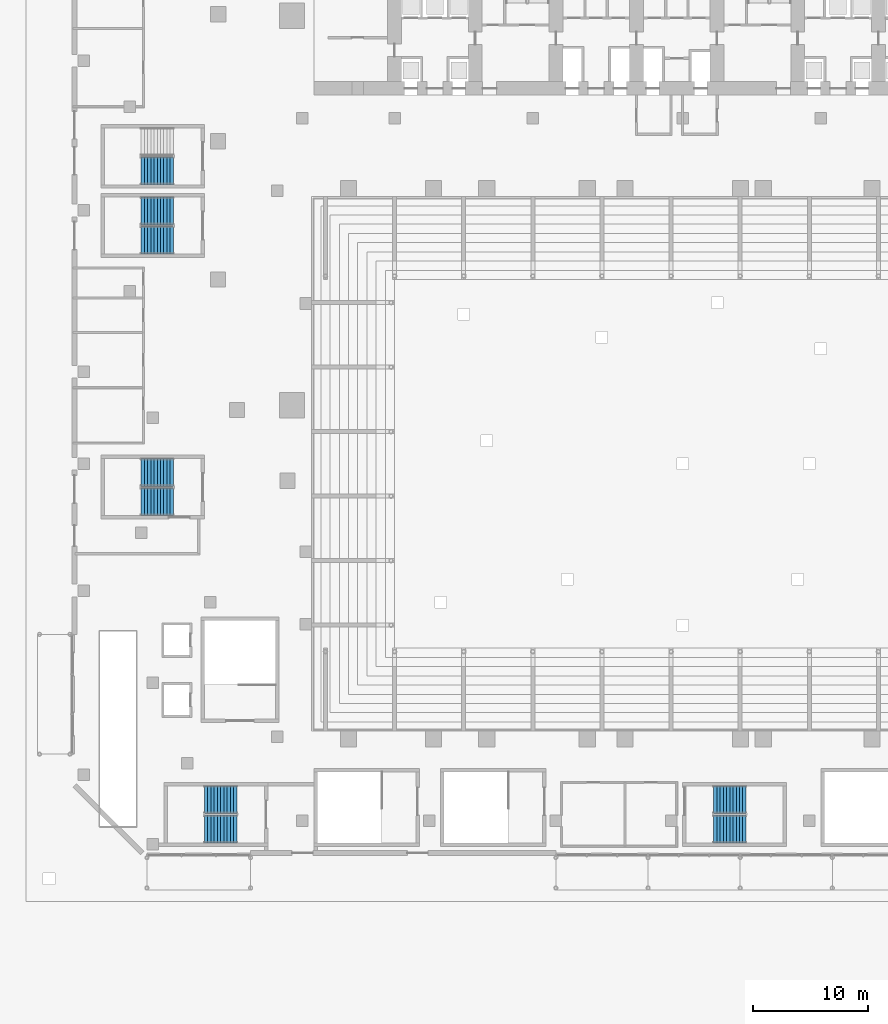
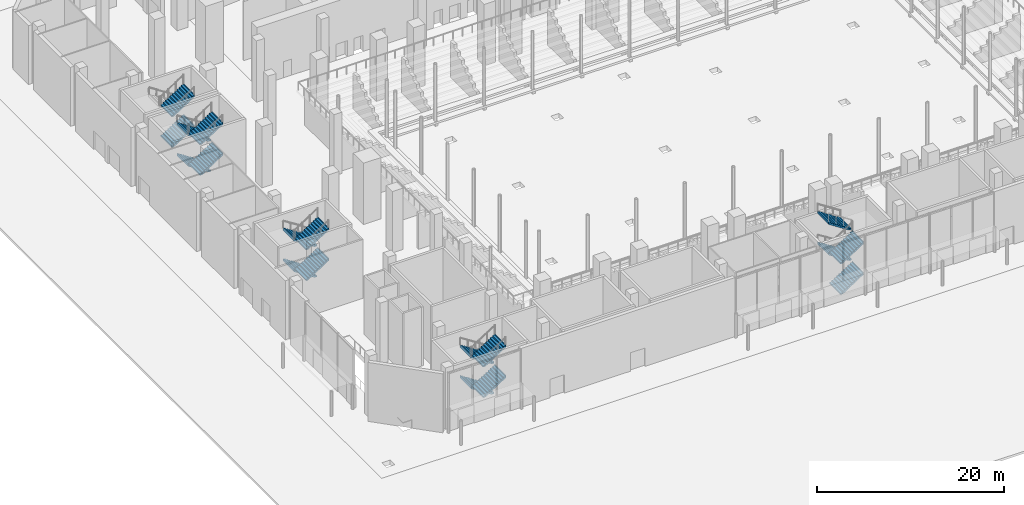
# One storey, part 29 of 41: 18 stair flights, 5 elements without a shape of their own.
"""IFC4 building model written with IfcOpenShell, lengths in metres."""

from ifc_helpers import new_model, si_unit, direction, frame, origin, place, context, subcontext, project, spatial, polyline, outline, extrude, material, type_object, element, aggregate, save


model = new_model("IFC4")

# Units and contexts
model_context = context("Model", 3, precision=1e-05, world=origin(), true_north=direction((0.0, 1.0)))
body_context = subcontext(model_context, "Body", "Model", "MODEL_VIEW")
ifc_project = project(units=[si_unit("LENGTHUNIT", "METRE"), si_unit("AREAUNIT", "SQUARE_METRE"), si_unit("VOLUMEUNIT", "CUBIC_METRE"), si_unit("PLANEANGLEUNIT", "RADIAN"), si_unit("MASSUNIT", "GRAM", prefix="KILO")], contexts=[model_context])

# Site, building, storey
site_placement = place(None, origin())
site = spatial("IfcSite", under=ifc_project, at=site_placement, CompositionType="ELEMENT")
building_placement = place(site_placement, origin())
building = spatial("IfcBuilding", under=site, at=building_placement, Name="Wharfspan Tower", CompositionType="ELEMENT")
storey_placement = place(building_placement, origin())
storey = spatial("IfcBuildingStorey", under=building, at=storey_placement, Name="L00", CompositionType="ELEMENT", Elevation=0.0)

# Stair, stair flights
ifc_material = material(Name="Concrete C40/50", Category="concrete")
stair_type = type_object("IfcStairType", Name="Half-turn stair 2400 wide 44 risers 182 mm", PredefinedType="HALF_TURN_STAIR", material=ifc_material)
stair_1_placement = place(storey_placement, origin())
stair_1 = element("IfcStair", 1, at=stair_1_placement, inside=storey, type_object=stair_type, Name="L00 stair AS1", PredefinedType="HALF_TURN_STAIR")
stair_flight_type = type_object("IfcStairFlightType", Name="Stair flight 2400 wide 44 risers 182 mm", PredefinedType="STRAIGHT", material=ifc_material)
stair_flight_1_placement = place(storey_placement, frame((2.300049, -27.149902, 0.0), z_axis=(0.0, 0.0, 1.0), x_axis=(-1.0, 0.0, 0.0)))
stair_flight_1 = element("IfcStairFlight", 2, at=stair_flight_1_placement, type_object=stair_flight_type, Name="AS1 flight 1", NumberOfRisers=11, NumberOfTreads=10, PredefinedType="STRAIGHT", RiserHeight=0.181818, TreadLength=0.28, context=body_context, shape_type="SweptSolid", body=[
    extrude(outline(polyline([(-0.011963, 0.0), (-0.011963, 0.181885), (0.0, 0.181885), (0.280029, 0.181885), (0.280029, 0.363525), (0.560059, 0.363525), (0.560059, 0.54541), (0.840088, 0.54541), (0.840088, 0.727295), (1.120117, 0.727295), (1.120117, 0.90918), (1.399902, 0.90918), (1.399902, 1.09082), (1.679932, 1.09082), (1.679932, 1.272705), (1.959961, 1.272705), (1.959961, 1.45459), (2.23999, 1.45459), (2.23999, 1.636475), (2.52002, 1.636475), (2.52002, 1.818115), (2.800049, 1.818115), (2.812012, 2.0), (2.812012, 1.639404), (0.275146, 0.0), (-0.011963, 0.0)])), frame((0.0, 1.199951, 0.0), z_axis=(0.0, -1.0, 0.0), x_axis=(1.0, 0.0, 0.0)), (0.0, 0.0, 1.0), 1.199463),
    extrude(outline(polyline([(-0.011963, 0.0), (-0.011963, 0.181885), (0.0, 0.181885), (0.280029, 0.181885), (0.280029, 0.363525), (0.560059, 0.363525), (0.560059, 0.54541), (0.840088, 0.54541), (0.840088, 0.727295), (1.120117, 0.727295), (1.120117, 0.90918), (1.399902, 0.90918), (1.399902, 1.09082), (1.679932, 1.09082), (1.679932, 1.272705), (1.959961, 1.272705), (1.959961, 1.45459), (2.23999, 1.45459), (2.23999, 1.636475), (2.52002, 1.636475), (2.52002, 1.818115), (2.800049, 1.818115), (2.812012, 2.0), (2.812012, 1.639404), (0.275146, 0.0), (-0.011963, 0.0)])), frame((0.0, -0.000488, 0.0), z_axis=(0.0, -1.0, 0.0), x_axis=(1.0, 0.0, 0.0)), (0.0, 0.0, 1.0), 1.199463),
])
stair_flight_2_placement = place(storey_placement, frame((-0.5, -29.699951, 2.0), z_axis=(0.0, 0.0, 1.0), x_axis=(1.0, 0.0, 0.0)))
stair_flight_2 = element("IfcStairFlight", 3, at=stair_flight_2_placement, type_object=stair_flight_type, Name="AS1 flight 2", NumberOfRisers=11, NumberOfTreads=10, PredefinedType="STRAIGHT", RiserHeight=0.181818, TreadLength=0.28, context=body_context, shape_type="SweptSolid", body=[
    extrude(outline(polyline([(-0.011963, 0.0), (-0.011963, 0.181885), (0.0, 0.181885), (0.280029, 0.181885), (0.280029, 0.363525), (0.560059, 0.363525), (0.560059, 0.54541), (0.840088, 0.54541), (0.840088, 0.727295), (1.120117, 0.727295), (1.120117, 0.90918), (1.399902, 0.90918), (1.399902, 1.09082), (1.679932, 1.09082), (1.679932, 1.272705), (1.959961, 1.272705), (1.959961, 1.45459), (2.23999, 1.45459), (2.23999, 1.636475), (2.52002, 1.636475), (2.52002, 1.818115), (2.800049, 1.818115), (2.812012, 2.0), (2.812012, 1.639404), (0.275146, 0.0), (-0.011963, 0.0)])), frame((0.0, 1.199951, 0.0), z_axis=(0.0, -1.0, 0.0), x_axis=(1.0, 0.0, 0.0)), (0.0, 0.0, 1.0), 1.199463),
    extrude(outline(polyline([(-0.011963, 0.0), (-0.011963, 0.181885), (0.0, 0.181885), (0.280029, 0.181885), (0.280029, 0.363525), (0.560059, 0.363525), (0.560059, 0.54541), (0.840088, 0.54541), (0.840088, 0.727295), (1.120117, 0.727295), (1.120117, 0.90918), (1.399902, 0.90918), (1.399902, 1.09082), (1.679932, 1.09082), (1.679932, 1.272705), (1.959961, 1.272705), (1.959961, 1.45459), (2.23999, 1.45459), (2.23999, 1.636475), (2.52002, 1.636475), (2.52002, 1.818115), (2.800049, 1.818115), (2.812012, 2.0), (2.812012, 1.639404), (0.275146, 0.0), (-0.011963, 0.0)])), frame((0.0, -0.000488, 0.0), z_axis=(0.0, -1.0, 0.0), x_axis=(1.0, 0.0, 0.0)), (0.0, 0.0, 1.0), 1.199463),
])
stair_flight_3_placement = place(storey_placement, frame((2.300049, -27.149902, 4.0), z_axis=(0.0, 0.0, 1.0), x_axis=(-1.0, 0.0, 0.0)))
stair_flight_3 = element("IfcStairFlight", 4, at=stair_flight_3_placement, type_object=stair_flight_type, Name="AS1 flight 3", NumberOfRisers=11, NumberOfTreads=10, PredefinedType="STRAIGHT", RiserHeight=0.181818, TreadLength=0.28, context=body_context, shape_type="SweptSolid", body=[
    extrude(outline(polyline([(-0.011963, 0.0), (-0.011963, 0.181885), (0.0, 0.181885), (0.280029, 0.181885), (0.280029, 0.363525), (0.560059, 0.363525), (0.560059, 0.54541), (0.840088, 0.54541), (0.840088, 0.727295), (1.120117, 0.727295), (1.120117, 0.90918), (1.399902, 0.90918), (1.399902, 1.09082), (1.679932, 1.09082), (1.679932, 1.272705), (1.959961, 1.272705), (1.959961, 1.45459), (2.23999, 1.45459), (2.23999, 1.636475), (2.52002, 1.636475), (2.52002, 1.818115), (2.800049, 1.818115), (2.812012, 2.0), (2.812012, 1.639404), (0.275146, 0.0), (-0.011963, 0.0)])), frame((0.0, 1.199951, 0.0), z_axis=(0.0, -1.0, 0.0), x_axis=(1.0, 0.0, 0.0)), (0.0, 0.0, 1.0), 1.199463),
    extrude(outline(polyline([(-0.011963, 0.0), (-0.011963, 0.181885), (0.0, 0.181885), (0.280029, 0.181885), (0.280029, 0.363525), (0.560059, 0.363525), (0.560059, 0.54541), (0.840088, 0.54541), (0.840088, 0.727295), (1.120117, 0.727295), (1.120117, 0.90918), (1.399902, 0.90918), (1.399902, 1.09082), (1.679932, 1.09082), (1.679932, 1.272705), (1.959961, 1.272705), (1.959961, 1.45459), (2.23999, 1.45459), (2.23999, 1.636475), (2.52002, 1.636475), (2.52002, 1.818115), (2.800049, 1.818115), (2.812012, 2.0), (2.812012, 1.639404), (0.275146, 0.0), (-0.011963, 0.0)])), frame((0.0, -0.000488, 0.0), z_axis=(0.0, -1.0, 0.0), x_axis=(1.0, 0.0, 0.0)), (0.0, 0.0, 1.0), 1.199463),
])
stair_flight_4_placement = place(storey_placement, frame((-0.5, -29.699951, 6.0), z_axis=(0.0, 0.0, 1.0), x_axis=(1.0, 0.0, 0.0)))
stair_flight_4 = element("IfcStairFlight", 5, at=stair_flight_4_placement, type_object=stair_flight_type, Name="AS1 flight 4", NumberOfRisers=11, NumberOfTreads=10, PredefinedType="STRAIGHT", RiserHeight=0.181818, TreadLength=0.28, context=body_context, shape_type="SweptSolid", body=[
    extrude(outline(polyline([(-0.011963, 0.0), (-0.011963, 0.181885), (0.0, 0.181885), (0.280029, 0.181885), (0.280029, 0.363525), (0.560059, 0.363525), (0.560059, 0.54541), (0.840088, 0.54541), (0.840088, 0.727295), (1.120117, 0.727295), (1.120117, 0.90918), (1.399902, 0.90918), (1.399902, 1.09082), (1.679932, 1.09082), (1.679932, 1.272705), (1.959961, 1.272705), (1.959961, 1.45459), (2.23999, 1.45459), (2.23999, 1.636475), (2.52002, 1.636475), (2.52002, 1.818115), (2.800049, 1.818115), (2.812012, 2.0), (2.812012, 1.639404), (0.275146, 0.0), (-0.011963, 0.0)])), frame((0.0, 1.199951, 0.0), z_axis=(0.0, -1.0, 0.0), x_axis=(1.0, 0.0, 0.0)), (0.0, 0.0, 1.0), 1.199463),
    extrude(outline(polyline([(-0.011963, 0.0), (-0.011963, 0.181885), (0.0, 0.181885), (0.280029, 0.181885), (0.280029, 0.363525), (0.560059, 0.363525), (0.560059, 0.54541), (0.840088, 0.54541), (0.840088, 0.727295), (1.120117, 0.727295), (1.120117, 0.90918), (1.399902, 0.90918), (1.399902, 1.09082), (1.679932, 1.09082), (1.679932, 1.272705), (1.959961, 1.272705), (1.959961, 1.45459), (2.23999, 1.45459), (2.23999, 1.636475), (2.52002, 1.636475), (2.52002, 1.818115), (2.800049, 1.818115), (2.812012, 2.0), (2.812012, 1.639404), (0.275146, 0.0), (-0.011963, 0.0)])), frame((0.0, -0.000488, 0.0), z_axis=(0.0, -1.0, 0.0), x_axis=(1.0, 0.0, 0.0)), (0.0, 0.0, 1.0), 1.199463),
])
aggregate(stair_1, [stair_flight_1, stair_flight_2, stair_flight_3, stair_flight_4])

stair_2_placement = place(storey_placement, origin())
stair_2 = element("IfcStair", 6, at=stair_2_placement, inside=storey, type_object=stair_type, Name="L00 stair AS5", PredefinedType="HALF_TURN_STAIR")
stair_flight_5_placement = place(storey_placement, frame((43.699951, -29.699951, 0.0), z_axis=(0.0, 0.0, 1.0), x_axis=(1.0, 0.0, 0.0)))
stair_flight_5 = element("IfcStairFlight", 7, at=stair_flight_5_placement, type_object=stair_flight_type, Name="AS5 flight 1", NumberOfRisers=11, NumberOfTreads=10, PredefinedType="STRAIGHT", RiserHeight=0.181818, TreadLength=0.28, context=body_context, shape_type="SweptSolid", body=[
    extrude(outline(polyline([(-0.011963, 0.0), (-0.011963, 0.181885), (0.0, 0.181885), (0.280029, 0.181885), (0.280029, 0.363525), (0.560059, 0.363525), (0.560059, 0.54541), (0.840088, 0.54541), (0.840088, 0.727295), (1.120117, 0.727295), (1.120117, 0.90918), (1.399902, 0.90918), (1.399902, 1.09082), (1.679932, 1.09082), (1.679932, 1.272705), (1.959961, 1.272705), (1.959961, 1.45459), (2.23999, 1.45459), (2.23999, 1.636475), (2.52002, 1.636475), (2.52002, 1.818115), (2.800049, 1.818115), (2.812012, 2.0), (2.812012, 1.639404), (0.275146, 0.0), (-0.011963, 0.0)])), frame((0.0, 1.199951, 0.0), z_axis=(0.0, -1.0, 0.0), x_axis=(1.0, 0.0, 0.0)), (0.0, 0.0, 1.0), 1.199463),
    extrude(outline(polyline([(-0.011963, 0.0), (-0.011963, 0.181885), (0.0, 0.181885), (0.280029, 0.181885), (0.280029, 0.363525), (0.560059, 0.363525), (0.560059, 0.54541), (0.840088, 0.54541), (0.840088, 0.727295), (1.120117, 0.727295), (1.120117, 0.90918), (1.399902, 0.90918), (1.399902, 1.09082), (1.679932, 1.09082), (1.679932, 1.272705), (1.959961, 1.272705), (1.959961, 1.45459), (2.23999, 1.45459), (2.23999, 1.636475), (2.52002, 1.636475), (2.52002, 1.818115), (2.800049, 1.818115), (2.812012, 2.0), (2.812012, 1.639404), (0.275146, 0.0), (-0.011963, 0.0)])), frame((0.0, -0.000488, 0.0), z_axis=(0.0, -1.0, 0.0), x_axis=(1.0, 0.0, 0.0)), (0.0, 0.0, 1.0), 1.199463),
])
stair_flight_6_placement = place(storey_placement, frame((46.5, -27.149902, 2.0), z_axis=(0.0, 0.0, 1.0), x_axis=(-1.0, 0.0, 0.0)))
stair_flight_6 = element("IfcStairFlight", 8, at=stair_flight_6_placement, type_object=stair_flight_type, Name="AS5 flight 2", NumberOfRisers=11, NumberOfTreads=10, PredefinedType="STRAIGHT", RiserHeight=0.181818, TreadLength=0.28, context=body_context, shape_type="SweptSolid", body=[
    extrude(outline(polyline([(-0.011963, 0.0), (-0.011963, 0.181885), (0.0, 0.181885), (0.280029, 0.181885), (0.280029, 0.363525), (0.560059, 0.363525), (0.560059, 0.54541), (0.840088, 0.54541), (0.840088, 0.727295), (1.120117, 0.727295), (1.120117, 0.90918), (1.399902, 0.90918), (1.399902, 1.09082), (1.679932, 1.09082), (1.679932, 1.272705), (1.959961, 1.272705), (1.959961, 1.45459), (2.23999, 1.45459), (2.23999, 1.636475), (2.52002, 1.636475), (2.52002, 1.818115), (2.800049, 1.818115), (2.812012, 2.0), (2.812012, 1.639404), (0.275146, 0.0), (-0.011963, 0.0)])), frame((0.0, 1.199951, 0.0), z_axis=(0.0, -1.0, 0.0), x_axis=(1.0, 0.0, 0.0)), (0.0, 0.0, 1.0), 1.199463),
    extrude(outline(polyline([(-0.011963, 0.0), (-0.011963, 0.181885), (0.0, 0.181885), (0.280029, 0.181885), (0.280029, 0.363525), (0.560059, 0.363525), (0.560059, 0.54541), (0.840088, 0.54541), (0.840088, 0.727295), (1.120117, 0.727295), (1.120117, 0.90918), (1.399902, 0.90918), (1.399902, 1.09082), (1.679932, 1.09082), (1.679932, 1.272705), (1.959961, 1.272705), (1.959961, 1.45459), (2.23999, 1.45459), (2.23999, 1.636475), (2.52002, 1.636475), (2.52002, 1.818115), (2.800049, 1.818115), (2.812012, 2.0), (2.812012, 1.639404), (0.275146, 0.0), (-0.011963, 0.0)])), frame((0.0, -0.000488, 0.0), z_axis=(0.0, -1.0, 0.0), x_axis=(1.0, 0.0, 0.0)), (0.0, 0.0, 1.0), 1.199463),
])
stair_flight_7_placement = place(storey_placement, frame((43.699951, -29.699951, 4.0), z_axis=(0.0, 0.0, 1.0), x_axis=(1.0, 0.0, 0.0)))
stair_flight_7 = element("IfcStairFlight", 9, at=stair_flight_7_placement, type_object=stair_flight_type, Name="AS5 flight 3", NumberOfRisers=11, NumberOfTreads=10, PredefinedType="STRAIGHT", RiserHeight=0.181818, TreadLength=0.28, context=body_context, shape_type="SweptSolid", body=[
    extrude(outline(polyline([(-0.011963, 0.0), (-0.011963, 0.181885), (0.0, 0.181885), (0.280029, 0.181885), (0.280029, 0.363525), (0.560059, 0.363525), (0.560059, 0.54541), (0.840088, 0.54541), (0.840088, 0.727295), (1.120117, 0.727295), (1.120117, 0.90918), (1.399902, 0.90918), (1.399902, 1.09082), (1.679932, 1.09082), (1.679932, 1.272705), (1.959961, 1.272705), (1.959961, 1.45459), (2.23999, 1.45459), (2.23999, 1.636475), (2.52002, 1.636475), (2.52002, 1.818115), (2.800049, 1.818115), (2.812012, 2.0), (2.812012, 1.639404), (0.275146, 0.0), (-0.011963, 0.0)])), frame((0.0, 1.199951, 0.0), z_axis=(0.0, -1.0, 0.0), x_axis=(1.0, 0.0, 0.0)), (0.0, 0.0, 1.0), 1.199463),
    extrude(outline(polyline([(-0.011963, 0.0), (-0.011963, 0.181885), (0.0, 0.181885), (0.280029, 0.181885), (0.280029, 0.363525), (0.560059, 0.363525), (0.560059, 0.54541), (0.840088, 0.54541), (0.840088, 0.727295), (1.120117, 0.727295), (1.120117, 0.90918), (1.399902, 0.90918), (1.399902, 1.09082), (1.679932, 1.09082), (1.679932, 1.272705), (1.959961, 1.272705), (1.959961, 1.45459), (2.23999, 1.45459), (2.23999, 1.636475), (2.52002, 1.636475), (2.52002, 1.818115), (2.800049, 1.818115), (2.812012, 2.0), (2.812012, 1.639404), (0.275146, 0.0), (-0.011963, 0.0)])), frame((0.0, -0.000488, 0.0), z_axis=(0.0, -1.0, 0.0), x_axis=(1.0, 0.0, 0.0)), (0.0, 0.0, 1.0), 1.199463),
])
stair_flight_8_placement = place(storey_placement, frame((46.5, -27.149902, 6.0), z_axis=(0.0, 0.0, 1.0), x_axis=(-1.0, 0.0, 0.0)))
stair_flight_8 = element("IfcStairFlight", 10, at=stair_flight_8_placement, type_object=stair_flight_type, Name="AS5 flight 4", NumberOfRisers=11, NumberOfTreads=10, PredefinedType="STRAIGHT", RiserHeight=0.181818, TreadLength=0.28, context=body_context, shape_type="SweptSolid", body=[
    extrude(outline(polyline([(-0.011963, 0.0), (-0.011963, 0.181885), (0.0, 0.181885), (0.280029, 0.181885), (0.280029, 0.363525), (0.560059, 0.363525), (0.560059, 0.54541), (0.840088, 0.54541), (0.840088, 0.727295), (1.120117, 0.727295), (1.120117, 0.90918), (1.399902, 0.90918), (1.399902, 1.09082), (1.679932, 1.09082), (1.679932, 1.272705), (1.959961, 1.272705), (1.959961, 1.45459), (2.23999, 1.45459), (2.23999, 1.636475), (2.52002, 1.636475), (2.52002, 1.818115), (2.800049, 1.818115), (2.812012, 2.0), (2.812012, 1.639404), (0.275146, 0.0), (-0.011963, 0.0)])), frame((0.0, 1.199951, 0.0), z_axis=(0.0, -1.0, 0.0), x_axis=(1.0, 0.0, 0.0)), (0.0, 0.0, 1.0), 1.199463),
    extrude(outline(polyline([(-0.011963, 0.0), (-0.011963, 0.181885), (0.0, 0.181885), (0.280029, 0.181885), (0.280029, 0.363525), (0.560059, 0.363525), (0.560059, 0.54541), (0.840088, 0.54541), (0.840088, 0.727295), (1.120117, 0.727295), (1.120117, 0.90918), (1.399902, 0.90918), (1.399902, 1.09082), (1.679932, 1.09082), (1.679932, 1.272705), (1.959961, 1.272705), (1.959961, 1.45459), (2.23999, 1.45459), (2.23999, 1.636475), (2.52002, 1.636475), (2.52002, 1.818115), (2.800049, 1.818115), (2.812012, 2.0), (2.812012, 1.639404), (0.275146, 0.0), (-0.011963, 0.0)])), frame((0.0, -0.000488, 0.0), z_axis=(0.0, -1.0, 0.0), x_axis=(1.0, 0.0, 0.0)), (0.0, 0.0, 1.0), 1.199463),
])
aggregate(stair_2, [stair_flight_5, stair_flight_6, stair_flight_7, stair_flight_8])

stair_3_placement = place(storey_placement, origin())
stair_3 = element("IfcStair", 11, at=stair_3_placement, inside=storey, type_object=stair_type, Name="L00 stair AS7", PredefinedType="HALF_TURN_STAIR")
stair_flight_9_placement = place(storey_placement, frame((-3.199951, 1.25, 0.0), z_axis=(0.0, 0.0, 1.0), x_axis=(-1.0, 0.0, 0.0)))
stair_flight_9 = element("IfcStairFlight", 12, at=stair_flight_9_placement, type_object=stair_flight_type, Name="AS7 flight 1", NumberOfRisers=11, NumberOfTreads=10, PredefinedType="STRAIGHT", RiserHeight=0.181818, TreadLength=0.28, context=body_context, shape_type="SweptSolid", body=[
    extrude(outline(polyline([(-0.011963, 0.0), (-0.011963, 0.181885), (0.0, 0.181885), (0.280029, 0.181885), (0.280029, 0.363525), (0.560059, 0.363525), (0.560059, 0.54541), (0.840088, 0.54541), (0.840088, 0.727295), (1.120117, 0.727295), (1.120117, 0.90918), (1.399902, 0.90918), (1.399902, 1.09082), (1.679932, 1.09082), (1.679932, 1.272705), (1.959961, 1.272705), (1.959961, 1.45459), (2.23999, 1.45459), (2.23999, 1.636475), (2.52002, 1.636475), (2.52002, 1.818115), (2.800049, 1.818115), (2.812012, 2.0), (2.812012, 1.639404), (0.275146, 0.0), (-0.011963, 0.0)])), frame((0.0, 1.199951, 0.0), z_axis=(0.0, -1.0, 0.0), x_axis=(1.0, 0.0, 0.0)), (0.0, 0.0, 1.0), 1.199463),
    extrude(outline(polyline([(-0.011963, 0.0), (-0.011963, 0.181885), (0.0, 0.181885), (0.280029, 0.181885), (0.280029, 0.363525), (0.560059, 0.363525), (0.560059, 0.54541), (0.840088, 0.54541), (0.840088, 0.727295), (1.120117, 0.727295), (1.120117, 0.90918), (1.399902, 0.90918), (1.399902, 1.09082), (1.679932, 1.09082), (1.679932, 1.272705), (1.959961, 1.272705), (1.959961, 1.45459), (2.23999, 1.45459), (2.23999, 1.636475), (2.52002, 1.636475), (2.52002, 1.818115), (2.800049, 1.818115), (2.812012, 2.0), (2.812012, 1.639404), (0.275146, 0.0), (-0.011963, 0.0)])), frame((0.0, -0.000488, 0.0), z_axis=(0.0, -1.0, 0.0), x_axis=(1.0, 0.0, 0.0)), (0.0, 0.0, 1.0), 1.199463),
])
stair_flight_10_placement = place(storey_placement, frame((-6.0, -1.300049, 2.0), z_axis=(0.0, 0.0, 1.0), x_axis=(1.0, 0.0, 0.0)))
stair_flight_10 = element("IfcStairFlight", 13, at=stair_flight_10_placement, type_object=stair_flight_type, Name="AS7 flight 2", NumberOfRisers=11, NumberOfTreads=10, PredefinedType="STRAIGHT", RiserHeight=0.181818, TreadLength=0.28, context=body_context, shape_type="SweptSolid", body=[
    extrude(outline(polyline([(-0.011963, 0.0), (-0.011963, 0.181885), (0.0, 0.181885), (0.280029, 0.181885), (0.280029, 0.363525), (0.560059, 0.363525), (0.560059, 0.54541), (0.840088, 0.54541), (0.840088, 0.727295), (1.120117, 0.727295), (1.120117, 0.90918), (1.399902, 0.90918), (1.399902, 1.09082), (1.679932, 1.09082), (1.679932, 1.272705), (1.959961, 1.272705), (1.959961, 1.45459), (2.23999, 1.45459), (2.23999, 1.636475), (2.52002, 1.636475), (2.52002, 1.818115), (2.800049, 1.818115), (2.812012, 2.0), (2.812012, 1.639404), (0.275146, 0.0), (-0.011963, 0.0)])), frame((0.0, 1.199951, 0.0), z_axis=(0.0, -1.0, 0.0), x_axis=(1.0, 0.0, 0.0)), (0.0, 0.0, 1.0), 1.199463),
    extrude(outline(polyline([(-0.011963, 0.0), (-0.011963, 0.181885), (0.0, 0.181885), (0.280029, 0.181885), (0.280029, 0.363525), (0.560059, 0.363525), (0.560059, 0.54541), (0.840088, 0.54541), (0.840088, 0.727295), (1.120117, 0.727295), (1.120117, 0.90918), (1.399902, 0.90918), (1.399902, 1.09082), (1.679932, 1.09082), (1.679932, 1.272705), (1.959961, 1.272705), (1.959961, 1.45459), (2.23999, 1.45459), (2.23999, 1.636475), (2.52002, 1.636475), (2.52002, 1.818115), (2.800049, 1.818115), (2.812012, 2.0), (2.812012, 1.639404), (0.275146, 0.0), (-0.011963, 0.0)])), frame((0.0, -0.000488, 0.0), z_axis=(0.0, -1.0, 0.0), x_axis=(1.0, 0.0, 0.0)), (0.0, 0.0, 1.0), 1.199463),
])
stair_flight_11_placement = place(storey_placement, frame((-3.199951, 1.25, 4.0), z_axis=(0.0, 0.0, 1.0), x_axis=(-1.0, 0.0, 0.0)))
stair_flight_11 = element("IfcStairFlight", 14, at=stair_flight_11_placement, type_object=stair_flight_type, Name="AS7 flight 3", NumberOfRisers=11, NumberOfTreads=10, PredefinedType="STRAIGHT", RiserHeight=0.181818, TreadLength=0.28, context=body_context, shape_type="SweptSolid", body=[
    extrude(outline(polyline([(-0.011963, 0.0), (-0.011963, 0.181885), (0.0, 0.181885), (0.280029, 0.181885), (0.280029, 0.363525), (0.560059, 0.363525), (0.560059, 0.54541), (0.840088, 0.54541), (0.840088, 0.727295), (1.120117, 0.727295), (1.120117, 0.90918), (1.399902, 0.90918), (1.399902, 1.09082), (1.679932, 1.09082), (1.679932, 1.272705), (1.959961, 1.272705), (1.959961, 1.45459), (2.23999, 1.45459), (2.23999, 1.636475), (2.52002, 1.636475), (2.52002, 1.818115), (2.800049, 1.818115), (2.812012, 2.0), (2.812012, 1.639404), (0.275146, 0.0), (-0.011963, 0.0)])), frame((0.0, 1.199951, 0.0), z_axis=(0.0, -1.0, 0.0), x_axis=(1.0, 0.0, 0.0)), (0.0, 0.0, 1.0), 1.199463),
    extrude(outline(polyline([(-0.011963, 0.0), (-0.011963, 0.181885), (0.0, 0.181885), (0.280029, 0.181885), (0.280029, 0.363525), (0.560059, 0.363525), (0.560059, 0.54541), (0.840088, 0.54541), (0.840088, 0.727295), (1.120117, 0.727295), (1.120117, 0.90918), (1.399902, 0.90918), (1.399902, 1.09082), (1.679932, 1.09082), (1.679932, 1.272705), (1.959961, 1.272705), (1.959961, 1.45459), (2.23999, 1.45459), (2.23999, 1.636475), (2.52002, 1.636475), (2.52002, 1.818115), (2.800049, 1.818115), (2.812012, 2.0), (2.812012, 1.639404), (0.275146, 0.0), (-0.011963, 0.0)])), frame((0.0, -0.000488, 0.0), z_axis=(0.0, -1.0, 0.0), x_axis=(1.0, 0.0, 0.0)), (0.0, 0.0, 1.0), 1.199463),
])
stair_flight_12_placement = place(storey_placement, frame((-6.0, -1.300049, 6.0), z_axis=(0.0, 0.0, 1.0), x_axis=(1.0, 0.0, 0.0)))
stair_flight_12 = element("IfcStairFlight", 15, at=stair_flight_12_placement, type_object=stair_flight_type, Name="AS7 flight 4", NumberOfRisers=11, NumberOfTreads=10, PredefinedType="STRAIGHT", RiserHeight=0.181818, TreadLength=0.28, context=body_context, shape_type="SweptSolid", body=[
    extrude(outline(polyline([(-0.011963, 0.0), (-0.011963, 0.181885), (0.0, 0.181885), (0.280029, 0.181885), (0.280029, 0.363525), (0.560059, 0.363525), (0.560059, 0.54541), (0.840088, 0.54541), (0.840088, 0.727295), (1.120117, 0.727295), (1.120117, 0.90918), (1.399902, 0.90918), (1.399902, 1.09082), (1.679932, 1.09082), (1.679932, 1.272705), (1.959961, 1.272705), (1.959961, 1.45459), (2.23999, 1.45459), (2.23999, 1.636475), (2.52002, 1.636475), (2.52002, 1.818115), (2.800049, 1.818115), (2.812012, 2.0), (2.812012, 1.639404), (0.275146, 0.0), (-0.011963, 0.0)])), frame((0.0, 1.199951, 0.0), z_axis=(0.0, -1.0, 0.0), x_axis=(1.0, 0.0, 0.0)), (0.0, 0.0, 1.0), 1.199463),
    extrude(outline(polyline([(-0.011963, 0.0), (-0.011963, 0.181885), (0.0, 0.181885), (0.280029, 0.181885), (0.280029, 0.363525), (0.560059, 0.363525), (0.560059, 0.54541), (0.840088, 0.54541), (0.840088, 0.727295), (1.120117, 0.727295), (1.120117, 0.90918), (1.399902, 0.90918), (1.399902, 1.09082), (1.679932, 1.09082), (1.679932, 1.272705), (1.959961, 1.272705), (1.959961, 1.45459), (2.23999, 1.45459), (2.23999, 1.636475), (2.52002, 1.636475), (2.52002, 1.818115), (2.800049, 1.818115), (2.812012, 2.0), (2.812012, 1.639404), (0.275146, 0.0), (-0.011963, 0.0)])), frame((0.0, -0.000488, 0.0), z_axis=(0.0, -1.0, 0.0), x_axis=(1.0, 0.0, 0.0)), (0.0, 0.0, 1.0), 1.199463),
])
aggregate(stair_3, [stair_flight_9, stair_flight_10, stair_flight_11, stair_flight_12])

stair_4_placement = place(storey_placement, origin())
stair_4 = element("IfcStair", 16, at=stair_4_placement, inside=storey, type_object=stair_type, Name="L00 stair AS3", PredefinedType="HALF_TURN_STAIR")
stair_flight_13_placement = place(storey_placement, frame((-3.199951, 23.949951, 0.0), z_axis=(0.0, 0.0, 1.0), x_axis=(-1.0, 0.0, 0.0)))
stair_flight_13 = element("IfcStairFlight", 17, at=stair_flight_13_placement, type_object=stair_flight_type, Name="AS3 flight 1", NumberOfRisers=11, NumberOfTreads=10, PredefinedType="STRAIGHT", RiserHeight=0.181818, TreadLength=0.28, context=body_context, shape_type="SweptSolid", body=[
    extrude(outline(polyline([(-0.011963, 0.0), (-0.011963, 0.181885), (0.0, 0.181885), (0.280029, 0.181885), (0.280029, 0.363525), (0.560059, 0.363525), (0.560059, 0.54541), (0.840088, 0.54541), (0.840088, 0.727295), (1.120117, 0.727295), (1.120117, 0.90918), (1.399902, 0.90918), (1.399902, 1.09082), (1.679932, 1.09082), (1.679932, 1.272705), (1.959961, 1.272705), (1.959961, 1.45459), (2.23999, 1.45459), (2.23999, 1.636475), (2.52002, 1.636475), (2.52002, 1.818115), (2.800049, 1.818115), (2.812012, 2.0), (2.812012, 1.639404), (0.275146, 0.0), (-0.011963, 0.0)])), frame((0.0, 1.199951, 0.0), z_axis=(0.0, -1.0, 0.0), x_axis=(1.0, 0.0, 0.0)), (0.0, 0.0, 1.0), 1.199463),
    extrude(outline(polyline([(-0.011963, 0.0), (-0.011963, 0.181885), (0.0, 0.181885), (0.280029, 0.181885), (0.280029, 0.363525), (0.560059, 0.363525), (0.560059, 0.54541), (0.840088, 0.54541), (0.840088, 0.727295), (1.120117, 0.727295), (1.120117, 0.90918), (1.399902, 0.90918), (1.399902, 1.09082), (1.679932, 1.09082), (1.679932, 1.272705), (1.959961, 1.272705), (1.959961, 1.45459), (2.23999, 1.45459), (2.23999, 1.636475), (2.52002, 1.636475), (2.52002, 1.818115), (2.800049, 1.818115), (2.812012, 2.0), (2.812012, 1.639404), (0.275146, 0.0), (-0.011963, 0.0)])), frame((0.0, -0.000488, 0.0), z_axis=(0.0, -1.0, 0.0), x_axis=(1.0, 0.0, 0.0)), (0.0, 0.0, 1.0), 1.199463),
])
stair_flight_14_placement = place(storey_placement, frame((-6.0, 21.399902, 2.0), z_axis=(0.0, 0.0, 1.0), x_axis=(1.0, 0.0, 0.0)))
stair_flight_14 = element("IfcStairFlight", 18, at=stair_flight_14_placement, type_object=stair_flight_type, Name="AS3 flight 2", NumberOfRisers=11, NumberOfTreads=10, PredefinedType="STRAIGHT", RiserHeight=0.181818, TreadLength=0.28, context=body_context, shape_type="SweptSolid", body=[
    extrude(outline(polyline([(-0.011963, 0.0), (-0.011963, 0.181885), (0.0, 0.181885), (0.280029, 0.181885), (0.280029, 0.363525), (0.560059, 0.363525), (0.560059, 0.54541), (0.840088, 0.54541), (0.840088, 0.727295), (1.120117, 0.727295), (1.120117, 0.90918), (1.399902, 0.90918), (1.399902, 1.09082), (1.679932, 1.09082), (1.679932, 1.272705), (1.959961, 1.272705), (1.959961, 1.45459), (2.23999, 1.45459), (2.23999, 1.636475), (2.52002, 1.636475), (2.52002, 1.818115), (2.800049, 1.818115), (2.812012, 2.0), (2.812012, 1.639404), (0.275146, 0.0), (-0.011963, 0.0)])), frame((0.0, 1.199951, 0.0), z_axis=(0.0, -1.0, 0.0), x_axis=(1.0, 0.0, 0.0)), (0.0, 0.0, 1.0), 1.199463),
    extrude(outline(polyline([(-0.011963, 0.0), (-0.011963, 0.181885), (0.0, 0.181885), (0.280029, 0.181885), (0.280029, 0.363525), (0.560059, 0.363525), (0.560059, 0.54541), (0.840088, 0.54541), (0.840088, 0.727295), (1.120117, 0.727295), (1.120117, 0.90918), (1.399902, 0.90918), (1.399902, 1.09082), (1.679932, 1.09082), (1.679932, 1.272705), (1.959961, 1.272705), (1.959961, 1.45459), (2.23999, 1.45459), (2.23999, 1.636475), (2.52002, 1.636475), (2.52002, 1.818115), (2.800049, 1.818115), (2.812012, 2.0), (2.812012, 1.639404), (0.275146, 0.0), (-0.011963, 0.0)])), frame((0.0, -0.000488, 0.0), z_axis=(0.0, -1.0, 0.0), x_axis=(1.0, 0.0, 0.0)), (0.0, 0.0, 1.0), 1.199463),
])
stair_flight_15_placement = place(storey_placement, frame((-3.199951, 23.949951, 4.0), z_axis=(0.0, 0.0, 1.0), x_axis=(-1.0, 0.0, 0.0)))
stair_flight_15 = element("IfcStairFlight", 19, at=stair_flight_15_placement, type_object=stair_flight_type, Name="AS3 flight 3", NumberOfRisers=11, NumberOfTreads=10, PredefinedType="STRAIGHT", RiserHeight=0.181818, TreadLength=0.28, context=body_context, shape_type="SweptSolid", body=[
    extrude(outline(polyline([(-0.011963, 0.0), (-0.011963, 0.181885), (0.0, 0.181885), (0.280029, 0.181885), (0.280029, 0.363525), (0.560059, 0.363525), (0.560059, 0.54541), (0.840088, 0.54541), (0.840088, 0.727295), (1.120117, 0.727295), (1.120117, 0.90918), (1.399902, 0.90918), (1.399902, 1.09082), (1.679932, 1.09082), (1.679932, 1.272705), (1.959961, 1.272705), (1.959961, 1.45459), (2.23999, 1.45459), (2.23999, 1.636475), (2.52002, 1.636475), (2.52002, 1.818115), (2.800049, 1.818115), (2.812012, 2.0), (2.812012, 1.639404), (0.275146, 0.0), (-0.011963, 0.0)])), frame((0.0, 1.199951, 0.0), z_axis=(0.0, -1.0, 0.0), x_axis=(1.0, 0.0, 0.0)), (0.0, 0.0, 1.0), 1.199463),
    extrude(outline(polyline([(-0.011963, 0.0), (-0.011963, 0.181885), (0.0, 0.181885), (0.280029, 0.181885), (0.280029, 0.363525), (0.560059, 0.363525), (0.560059, 0.54541), (0.840088, 0.54541), (0.840088, 0.727295), (1.120117, 0.727295), (1.120117, 0.90918), (1.399902, 0.90918), (1.399902, 1.09082), (1.679932, 1.09082), (1.679932, 1.272705), (1.959961, 1.272705), (1.959961, 1.45459), (2.23999, 1.45459), (2.23999, 1.636475), (2.52002, 1.636475), (2.52002, 1.818115), (2.800049, 1.818115), (2.812012, 2.0), (2.812012, 1.639404), (0.275146, 0.0), (-0.011963, 0.0)])), frame((0.0, -0.000488, 0.0), z_axis=(0.0, -1.0, 0.0), x_axis=(1.0, 0.0, 0.0)), (0.0, 0.0, 1.0), 1.199463),
])
stair_flight_16_placement = place(storey_placement, frame((-6.0, 21.399902, 6.0), z_axis=(0.0, 0.0, 1.0), x_axis=(1.0, 0.0, 0.0)))
stair_flight_16 = element("IfcStairFlight", 20, at=stair_flight_16_placement, type_object=stair_flight_type, Name="AS3 flight 4", NumberOfRisers=11, NumberOfTreads=10, PredefinedType="STRAIGHT", RiserHeight=0.181818, TreadLength=0.28, context=body_context, shape_type="SweptSolid", body=[
    extrude(outline(polyline([(-0.011963, 0.0), (-0.011963, 0.181885), (0.0, 0.181885), (0.280029, 0.181885), (0.280029, 0.363525), (0.560059, 0.363525), (0.560059, 0.54541), (0.840088, 0.54541), (0.840088, 0.727295), (1.120117, 0.727295), (1.120117, 0.90918), (1.399902, 0.90918), (1.399902, 1.09082), (1.679932, 1.09082), (1.679932, 1.272705), (1.959961, 1.272705), (1.959961, 1.45459), (2.23999, 1.45459), (2.23999, 1.636475), (2.52002, 1.636475), (2.52002, 1.818115), (2.800049, 1.818115), (2.812012, 2.0), (2.812012, 1.639404), (0.275146, 0.0), (-0.011963, 0.0)])), frame((0.0, 1.199951, 0.0), z_axis=(0.0, -1.0, 0.0), x_axis=(1.0, 0.0, 0.0)), (0.0, 0.0, 1.0), 1.199463),
    extrude(outline(polyline([(-0.011963, 0.0), (-0.011963, 0.181885), (0.0, 0.181885), (0.280029, 0.181885), (0.280029, 0.363525), (0.560059, 0.363525), (0.560059, 0.54541), (0.840088, 0.54541), (0.840088, 0.727295), (1.120117, 0.727295), (1.120117, 0.90918), (1.399902, 0.90918), (1.399902, 1.09082), (1.679932, 1.09082), (1.679932, 1.272705), (1.959961, 1.272705), (1.959961, 1.45459), (2.23999, 1.45459), (2.23999, 1.636475), (2.52002, 1.636475), (2.52002, 1.818115), (2.800049, 1.818115), (2.812012, 2.0), (2.812012, 1.639404), (0.275146, 0.0), (-0.011963, 0.0)])), frame((0.0, -0.000488, 0.0), z_axis=(0.0, -1.0, 0.0), x_axis=(1.0, 0.0, 0.0)), (0.0, 0.0, 1.0), 1.199463),
])
aggregate(stair_4, [stair_flight_13, stair_flight_14, stair_flight_15, stair_flight_16])

stair_5_placement = place(storey_placement, origin())
stair_5 = element("IfcStair", 21, at=stair_5_placement, inside=storey, type_object=stair_type, Name="L00 stair PS3", PredefinedType="HALF_TURN_STAIR")
stair_flight_17_placement = place(storey_placement, frame((-6.0, 27.425049, 2.0), z_axis=(0.0, 0.0, 1.0), x_axis=(1.0, 0.0, 0.0)))
stair_flight_17 = element("IfcStairFlight", 22, at=stair_flight_17_placement, type_object=stair_flight_type, Name="PS3 flight 2", NumberOfRisers=11, NumberOfTreads=10, PredefinedType="STRAIGHT", RiserHeight=0.181818, TreadLength=0.28, context=body_context, shape_type="SweptSolid", body=[
    extrude(outline(polyline([(-0.011963, 0.0), (-0.011963, 0.181885), (0.0, 0.181885), (0.280029, 0.181885), (0.280029, 0.363525), (0.560059, 0.363525), (0.560059, 0.54541), (0.840088, 0.54541), (0.840088, 0.727295), (1.120117, 0.727295), (1.120117, 0.90918), (1.399902, 0.90918), (1.399902, 1.09082), (1.679932, 1.09082), (1.679932, 1.272705), (1.959961, 1.272705), (1.959961, 1.45459), (2.23999, 1.45459), (2.23999, 1.636475), (2.52002, 1.636475), (2.52002, 1.818115), (2.800049, 1.818115), (2.812012, 2.0), (2.812012, 1.639404), (0.275146, 0.0), (-0.011963, 0.0)])), frame((0.0, 1.199951, 0.0), z_axis=(0.0, -1.0, 0.0), x_axis=(1.0, 0.0, 0.0)), (0.0, 0.0, 1.0), 1.199463),
    extrude(outline(polyline([(-0.011963, 0.0), (-0.011963, 0.181885), (0.0, 0.181885), (0.280029, 0.181885), (0.280029, 0.363525), (0.560059, 0.363525), (0.560059, 0.54541), (0.840088, 0.54541), (0.840088, 0.727295), (1.120117, 0.727295), (1.120117, 0.90918), (1.399902, 0.90918), (1.399902, 1.09082), (1.679932, 1.09082), (1.679932, 1.272705), (1.959961, 1.272705), (1.959961, 1.45459), (2.23999, 1.45459), (2.23999, 1.636475), (2.52002, 1.636475), (2.52002, 1.818115), (2.800049, 1.818115), (2.812012, 2.0), (2.812012, 1.639404), (0.275146, 0.0), (-0.011963, 0.0)])), frame((0.0, -0.000488, 0.0), z_axis=(0.0, -1.0, 0.0), x_axis=(1.0, 0.0, 0.0)), (0.0, 0.0, 1.0), 1.199463),
])
stair_flight_18_placement = place(storey_placement, frame((-6.0, 27.425049, 6.0), z_axis=(0.0, 0.0, 1.0), x_axis=(1.0, 0.0, 0.0)))
stair_flight_18 = element("IfcStairFlight", 23, at=stair_flight_18_placement, type_object=stair_flight_type, Name="PS3 flight 4", NumberOfRisers=11, NumberOfTreads=10, PredefinedType="STRAIGHT", RiserHeight=0.181818, TreadLength=0.28, context=body_context, shape_type="SweptSolid", body=[
    extrude(outline(polyline([(-0.011963, 0.0), (-0.011963, 0.181885), (0.0, 0.181885), (0.280029, 0.181885), (0.280029, 0.363525), (0.560059, 0.363525), (0.560059, 0.54541), (0.840088, 0.54541), (0.840088, 0.727295), (1.120117, 0.727295), (1.120117, 0.90918), (1.399902, 0.90918), (1.399902, 1.09082), (1.679932, 1.09082), (1.679932, 1.272705), (1.959961, 1.272705), (1.959961, 1.45459), (2.23999, 1.45459), (2.23999, 1.636475), (2.52002, 1.636475), (2.52002, 1.818115), (2.800049, 1.818115), (2.812012, 2.0), (2.812012, 1.639404), (0.275146, 0.0), (-0.011963, 0.0)])), frame((0.0, 1.199951, 0.0), z_axis=(0.0, -1.0, 0.0), x_axis=(1.0, 0.0, 0.0)), (0.0, 0.0, 1.0), 1.199463),
    extrude(outline(polyline([(-0.011963, 0.0), (-0.011963, 0.181885), (0.0, 0.181885), (0.280029, 0.181885), (0.280029, 0.363525), (0.560059, 0.363525), (0.560059, 0.54541), (0.840088, 0.54541), (0.840088, 0.727295), (1.120117, 0.727295), (1.120117, 0.90918), (1.399902, 0.90918), (1.399902, 1.09082), (1.679932, 1.09082), (1.679932, 1.272705), (1.959961, 1.272705), (1.959961, 1.45459), (2.23999, 1.45459), (2.23999, 1.636475), (2.52002, 1.636475), (2.52002, 1.818115), (2.800049, 1.818115), (2.812012, 2.0), (2.812012, 1.639404), (0.275146, 0.0), (-0.011963, 0.0)])), frame((0.0, -0.000488, 0.0), z_axis=(0.0, -1.0, 0.0), x_axis=(1.0, 0.0, 0.0)), (0.0, 0.0, 1.0), 1.199463),
])
aggregate(stair_5, [stair_flight_17, stair_flight_18])

save(model, "model.ifc")
